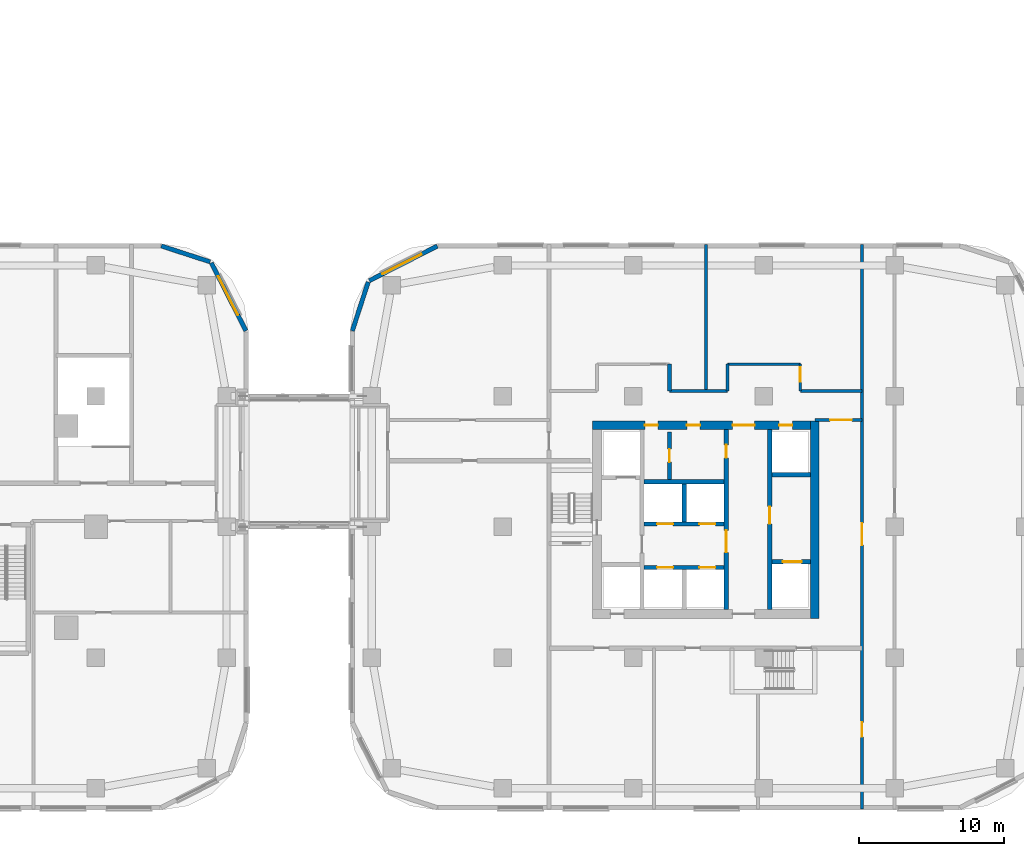
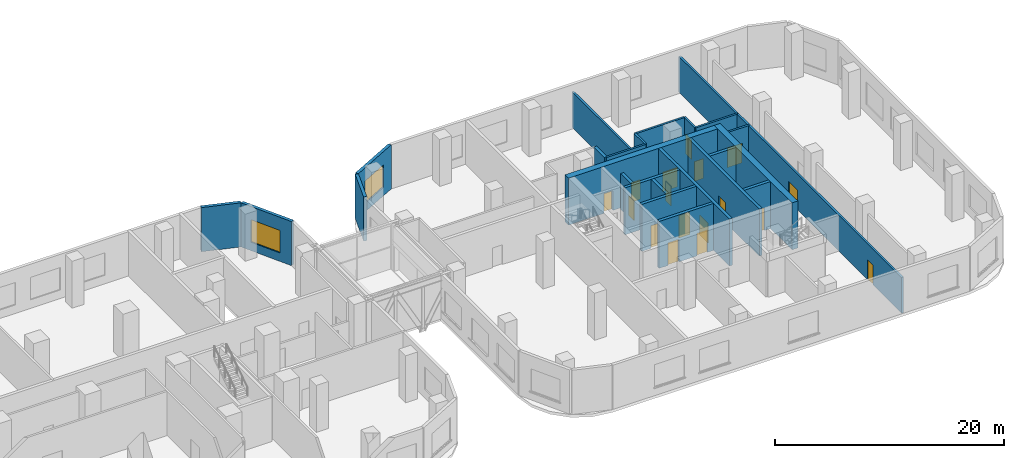
# One storey, part 13 of 33: 24 walls, 17 doors, 2 windows, 19 openings.
"""IFC4 building model written with IfcOpenShell, lengths in metres."""

from ifc_helpers import new_model, si_unit, direction, frame, frame_2d, origin, place, context, subcontext, project, spatial, rectangle, extrude, material, layer, layer_set, type_object, element, fill, save


model = new_model("IFC4")

# Units and contexts
model_context = context("Model", 3, precision=1e-05, world=origin(), true_north=direction((0.0, 1.0)))
body_context = subcontext(model_context, "Body", "Model", "MODEL_VIEW")
ifc_project = project(units=[si_unit("LENGTHUNIT", "METRE"), si_unit("AREAUNIT", "SQUARE_METRE"), si_unit("VOLUMEUNIT", "CUBIC_METRE"), si_unit("PLANEANGLEUNIT", "RADIAN"), si_unit("MASSUNIT", "GRAM", prefix="KILO")], contexts=[model_context])

# Site, building, storey
site_placement = place(None, origin())
site = spatial("IfcSite", under=ifc_project, at=site_placement, CompositionType="ELEMENT")
building_placement = place(site_placement, origin())
building = spatial("IfcBuilding", under=site, at=building_placement, Name="Ogive Portal Towers", CompositionType="ELEMENT")
storey_placement = place(building_placement, frame((0.0, 0.0, 28.5)))
storey = spatial("IfcBuildingStorey", under=building, at=storey_placement, Name="L05", CompositionType="ELEMENT", Elevation=28.5)

# Wall, openings, doors
ifc_material_1 = material(Name="Concrete C60/75", Category="concrete")
ifc_layer_1 = layer(ifc_material_1, 0.300048828125)
ifc_layer_set_1 = layer_set([ifc_layer_1], Name="CORE WALL 300 C60")
wall_type_1 = type_object("IfcWallType", Name="CORE WALL 300 C60", PredefinedType="SHEAR", material=ifc_layer_set_1)
wall_1_placement = place(storey_placement, frame((137.89990234375, 24.800048828125, 0.0), z_axis=(0.0, 0.0, 1.0), x_axis=(0.0, 1.0, 0.0)))
wall_1 = element("IfcWall", 1, at=wall_1_placement, inside=storey, type_object=wall_type_1, Name="Tower B core wall BX2 L05", PredefinedType="SHEAR", context=body_context, shape_type="SweptSolid", body=[
    extrude(rectangle(XDim=12.39990234375, YDim=0.300048828125, at=frame_2d((6.199951171875, 0.0))), origin(), (0.0, 0.0, 1.0), 5.0),
])
opening_1_placement = place(wall_1_placement, frame((3.949951171875, 0.0, 0.0)))
opening_1 = element("IfcOpeningElement", 2, at=opening_1_placement, cuts=wall_1, Name="Opening P05-049", PredefinedType="OPENING", context=body_context, shape_type="SweptSolid", body=[
    extrude(rectangle(XDim=1.5, YDim=2.10009765625, at=frame_2d((0.75, 1.050048828125))), frame((0.0, 0.16015625, 0.0), z_axis=(0.0, -1.0, 0.0), x_axis=(1.0, 0.0, 0.0)), (0.0, 0.0, 1.0), 0.320068359375),
])
opening_2_placement = place(wall_1_placement, frame((10.449951171875, 0.0, 0.0)))
opening_2 = element("IfcOpeningElement", 3, at=opening_2_placement, cuts=wall_1, Name="Opening P05-065", PredefinedType="OPENING", context=body_context, shape_type="SweptSolid", body=[
    extrude(rectangle(XDim=0.89990234375, YDim=2.10009765625, at=frame_2d((0.449951171875, 1.050048828125))), frame((0.0, 0.16015625, 0.0), z_axis=(0.0, -1.0, 0.0), x_axis=(1.0, 0.0, 0.0)), (0.0, 0.0, 1.0), 0.320068359375),
])
ifc_material_2 = material(Name="Steel fire door", Category="steel")
door_type_1 = type_object("IfcDoorType", Name="DT-SWING-1500x2100-FD90S", OperationType="SINGLE_SWING_LEFT", PredefinedType="DOOR", material=ifc_material_2)
door_1_placement = place(opening_1_placement, origin())
door_1 = element("IfcDoor", 4, at=door_1_placement, inside=storey, type_object=door_type_1, Name="Door P05-049", OperationType="SINGLE_SWING_RIGHT", OverallHeight=2.10009765625, OverallWidth=1.5, PredefinedType="DOOR", context=body_context, shape_type="SweptSolid", body=[
    extrude(rectangle(XDim=1.5, YDim=2.10009765625, at=frame_2d((0.75, 1.050048828125))), frame((0.0, 0.02490234375, 0.0), z_axis=(0.0, -1.0, 0.0), x_axis=(1.0, 0.0, 0.0)), (0.0, 0.0, 1.0), 0.050048828125),
])
fill(opening_1, door_1)
door_type_2 = type_object("IfcDoorType", Name="DT-SWING-900x2100-FD90S", OperationType="SINGLE_SWING_LEFT", PredefinedType="DOOR", material=ifc_material_2)
door_2_placement = place(opening_2_placement, origin())
door_2 = element("IfcDoor", 5, at=door_2_placement, inside=storey, type_object=door_type_2, Name="Door P05-065", OperationType="SINGLE_SWING_RIGHT", OverallHeight=2.10009765625, OverallWidth=0.89990234375, PredefinedType="DOOR", context=body_context, shape_type="SweptSolid", body=[
    extrude(rectangle(XDim=0.89990234375, YDim=2.10009765625, at=frame_2d((0.449951171875, 1.050048828125))), frame((0.0, 0.02490234375, 0.0), z_axis=(0.0, -1.0, 0.0), x_axis=(1.0, 0.0, 0.0)), (0.0, 0.0, 1.0), 0.050048828125),
])
fill(opening_2, door_2)

# Wall, opening, door
wall_2_placement = place(storey_placement, frame((140.89990234375, 24.800048828125, 0.0), z_axis=(0.0, 0.0, 1.0), x_axis=(0.0, 1.0, 0.0)))
wall_2 = element("IfcWall", 6, at=wall_2_placement, inside=storey, type_object=wall_type_1, Name="Tower B core wall BX3 L05", PredefinedType="SHEAR", context=body_context, shape_type="SweptSolid", body=[
    extrude(rectangle(XDim=12.39990234375, YDim=0.300048828125, at=frame_2d((6.199951171875, 0.0))), origin(), (0.0, 0.0, 1.0), 5.0),
])
opening_3_placement = place(wall_2_placement, frame((5.89990234375, 0.0, 0.0)))
opening_3 = element("IfcOpeningElement", 7, at=opening_3_placement, cuts=wall_2, Name="Opening P05-051", PredefinedType="OPENING", context=body_context, shape_type="SweptSolid", body=[
    extrude(rectangle(XDim=1.199951171875, YDim=2.10009765625, at=frame_2d((0.60009765625, 1.050048828125))), frame((0.0, 0.16015625, 0.0), z_axis=(0.0, -1.0, 0.0), x_axis=(1.0, 0.0, 0.0)), (0.0, 0.0, 1.0), 0.320068359375),
])
door_type_3 = type_object("IfcDoorType", Name="DT-SWING-1200x2100-FD90S", OperationType="SINGLE_SWING_LEFT", PredefinedType="DOOR", material=ifc_material_2)
door_3_placement = place(opening_3_placement, origin())
door_3 = element("IfcDoor", 8, at=door_3_placement, inside=storey, type_object=door_type_3, Name="Door P05-051", OperationType="SINGLE_SWING_RIGHT", OverallHeight=2.10009765625, OverallWidth=1.199951171875, PredefinedType="DOOR", context=body_context, shape_type="SweptSolid", body=[
    extrude(rectangle(XDim=1.199951171875, YDim=2.10009765625, at=frame_2d((0.60009765625, 1.050048828125))), frame((0.0, 0.02490234375, 0.0), z_axis=(0.0, -1.0, 0.0), x_axis=(1.0, 0.0, 0.0)), (0.0, 0.0, 1.0), 0.050048828125),
])
fill(opening_3, door_3)

# Wall
wall_3_placement = place(storey_placement, frame((135.0, 30.85009765625, 0.0), z_axis=(0.0, 0.0, 1.0), x_axis=(0.0, 1.0, 0.0)))
element("IfcWall", 9, at=wall_3_placement, inside=storey, type_object=wall_type_1, Name="Tower B core wall BX5 L05", PredefinedType="SHEAR", context=body_context, shape_type="SweptSolid", body=[
    extrude(rectangle(XDim=2.599853515625, YDim=0.300048828125, at=frame_2d((1.2998046875, 0.0))), origin(), (0.0, 0.0, 1.0), 5.0),
])

# Wall, openings, doors
wall_4_placement = place(storey_placement, frame((132.25, 27.699951171875, 0.0), z_axis=(0.0, 0.0, 1.0), x_axis=(1.0, 0.0, 0.0)))
wall_4 = element("IfcWall", 10, at=wall_4_placement, inside=storey, type_object=wall_type_1, Name="Tower B core wall BY1 L05", PredefinedType="SHEAR", context=body_context, shape_type="SweptSolid", body=[
    extrude(rectangle(XDim=5.5, YDim=0.300048828125, at=frame_2d((2.75, 0.0))), origin(), (0.0, 0.0, 1.0), 5.0),
])
opening_4_placement = place(wall_4_placement, frame((0.89990234375, 0.0, 0.0)))
opening_4 = element("IfcOpeningElement", 11, at=opening_4_placement, cuts=wall_4, Name="Opening P05-057", PredefinedType="OPENING", context=body_context, shape_type="SweptSolid", body=[
    extrude(rectangle(XDim=1.10009765625, YDim=2.39990234375, at=frame_2d((0.550048828125, 1.199951171875))), frame((0.0, 0.16015625, 0.0), z_axis=(0.0, -1.0, 0.0), x_axis=(1.0, 0.0, 0.0)), (0.0, 0.0, 1.0), 0.320068359375),
])
opening_5_placement = place(wall_4_placement, frame((3.800048828125, 0.0, 0.0)))
opening_5 = element("IfcOpeningElement", 12, at=opening_5_placement, cuts=wall_4, Name="Opening P05-058", PredefinedType="OPENING", context=body_context, shape_type="SweptSolid", body=[
    extrude(rectangle(XDim=1.10009765625, YDim=2.39990234375, at=frame_2d((0.550048828125, 1.199951171875))), frame((0.0, 0.16015625, 0.0), z_axis=(0.0, -1.0, 0.0), x_axis=(1.0, 0.0, 0.0)), (0.0, 0.0, 1.0), 0.320068359375),
])
ifc_material_3 = material(Name="Stainless steel", Category="steel")
door_type_4 = type_object("IfcDoorType", Name="DT-LD-1100x2400", OperationType="SLIDING_TO_LEFT", PredefinedType="DOOR", material=ifc_material_3)
door_4_placement = place(opening_4_placement, origin())
door_4 = element("IfcDoor", 13, at=door_4_placement, inside=storey, type_object=door_type_4, Name="Door P05-057", OperationType="SLIDING_TO_LEFT", OverallHeight=2.39990234375, OverallWidth=1.10009765625, PredefinedType="DOOR", context=body_context, shape_type="SweptSolid", body=[
    extrude(rectangle(XDim=1.10009765625, YDim=2.39990234375, at=frame_2d((0.550048828125, 1.199951171875))), frame((0.0, 0.02490234375, 0.0), z_axis=(0.0, -1.0, 0.0), x_axis=(1.0, 0.0, 0.0)), (0.0, 0.0, 1.0), 0.050048828125),
])
fill(opening_4, door_4)
door_5_placement = place(opening_5_placement, origin())
door_5 = element("IfcDoor", 14, at=door_5_placement, inside=storey, type_object=door_type_4, Name="Door P05-058", OperationType="SLIDING_TO_LEFT", OverallHeight=2.39990234375, OverallWidth=1.10009765625, PredefinedType="DOOR", context=body_context, shape_type="SweptSolid", body=[
    extrude(rectangle(XDim=1.10009765625, YDim=2.39990234375, at=frame_2d((0.550048828125, 1.199951171875))), frame((0.0, 0.02490234375, 0.0), z_axis=(0.0, -1.0, 0.0), x_axis=(1.0, 0.0, 0.0)), (0.0, 0.0, 1.0), 0.050048828125),
])
fill(opening_5, door_5)

wall_5_placement = place(storey_placement, frame((132.25, 30.699951171875, 0.0), z_axis=(0.0, 0.0, 1.0), x_axis=(1.0, 0.0, 0.0)))
wall_5 = element("IfcWall", 15, at=wall_5_placement, inside=storey, type_object=wall_type_1, Name="Tower B core wall BY2 L05", PredefinedType="SHEAR", context=body_context, shape_type="SweptSolid", body=[
    extrude(rectangle(XDim=5.5, YDim=0.300048828125, at=frame_2d((2.75, 0.0))), origin(), (0.0, 0.0, 1.0), 5.0),
])
opening_6_placement = place(wall_5_placement, frame((0.89990234375, 0.0, 0.0)))
opening_6 = element("IfcOpeningElement", 16, at=opening_6_placement, cuts=wall_5, Name="Opening P05-059", PredefinedType="OPENING", context=body_context, shape_type="SweptSolid", body=[
    extrude(rectangle(XDim=1.10009765625, YDim=2.39990234375, at=frame_2d((0.550048828125, 1.199951171875))), frame((0.0, 0.16015625, 0.0), z_axis=(0.0, -1.0, 0.0), x_axis=(1.0, 0.0, 0.0)), (0.0, 0.0, 1.0), 0.320068359375),
])
opening_7_placement = place(wall_5_placement, frame((3.800048828125, 0.0, 0.0)))
opening_7 = element("IfcOpeningElement", 17, at=opening_7_placement, cuts=wall_5, Name="Opening P05-060", PredefinedType="OPENING", context=body_context, shape_type="SweptSolid", body=[
    extrude(rectangle(XDim=1.10009765625, YDim=2.39990234375, at=frame_2d((0.550048828125, 1.199951171875))), frame((0.0, 0.16015625, 0.0), z_axis=(0.0, -1.0, 0.0), x_axis=(1.0, 0.0, 0.0)), (0.0, 0.0, 1.0), 0.320068359375),
])
door_6_placement = place(opening_6_placement, origin())
door_6 = element("IfcDoor", 18, at=door_6_placement, inside=storey, type_object=door_type_4, Name="Door P05-059", OperationType="SLIDING_TO_LEFT", OverallHeight=2.39990234375, OverallWidth=1.10009765625, PredefinedType="DOOR", context=body_context, shape_type="SweptSolid", body=[
    extrude(rectangle(XDim=1.10009765625, YDim=2.39990234375, at=frame_2d((0.550048828125, 1.199951171875))), frame((0.0, 0.02490234375, 0.0), z_axis=(0.0, -1.0, 0.0), x_axis=(1.0, 0.0, 0.0)), (0.0, 0.0, 1.0), 0.050048828125),
])
fill(opening_6, door_6)
door_7_placement = place(opening_7_placement, origin())
door_7 = element("IfcDoor", 19, at=door_7_placement, inside=storey, type_object=door_type_4, Name="Door P05-060", OperationType="SLIDING_TO_LEFT", OverallHeight=2.39990234375, OverallWidth=1.10009765625, PredefinedType="DOOR", context=body_context, shape_type="SweptSolid", body=[
    extrude(rectangle(XDim=1.10009765625, YDim=2.39990234375, at=frame_2d((0.550048828125, 1.199951171875))), frame((0.0, 0.02490234375, 0.0), z_axis=(0.0, -1.0, 0.0), x_axis=(1.0, 0.0, 0.0)), (0.0, 0.0, 1.0), 0.050048828125),
])
fill(opening_7, door_7)

# Wall
wall_6_placement = place(storey_placement, frame((132.25, 33.60009765625, 0.0), z_axis=(0.0, 0.0, 1.0), x_axis=(1.0, 0.0, 0.0)))
element("IfcWall", 20, at=wall_6_placement, inside=storey, type_object=wall_type_1, Name="Tower B core wall BY3 L05", PredefinedType="SHEAR", context=body_context, shape_type="SweptSolid", body=[
    extrude(rectangle(XDim=5.5, YDim=0.300048828125, at=frame_2d((2.75, 0.0))), origin(), (0.0, 0.0, 1.0), 5.0),
])

# Wall, opening, door
wall_7_placement = place(storey_placement, frame((141.050048828125, 28.10009765625, 0.0), z_axis=(0.0, 0.0, 1.0), x_axis=(1.0, 0.0, 0.0)))
wall_7 = element("IfcWall", 21, at=wall_7_placement, inside=storey, type_object=wall_type_1, Name="Tower B core wall BY6 L05", PredefinedType="SHEAR", context=body_context, shape_type="SweptSolid", body=[
    extrude(rectangle(XDim=2.64990234375, YDim=0.300048828125, at=frame_2d((1.324951171875, 0.0))), origin(), (0.0, 0.0, 1.0), 5.0),
])
opening_8_placement = place(wall_7_placement, frame((0.75, 0.0, 0.0)))
opening_8 = element("IfcOpeningElement", 22, at=opening_8_placement, cuts=wall_7, Name="Opening P05-062", PredefinedType="OPENING", context=body_context, shape_type="SweptSolid", body=[
    extrude(rectangle(XDim=1.300048828125, YDim=2.39990234375, at=frame_2d((0.64990234375, 1.199951171875))), frame((0.0, 0.16015625, 0.0), z_axis=(0.0, -1.0, 0.0), x_axis=(1.0, 0.0, 0.0)), (0.0, 0.0, 1.0), 0.320068359375),
])
door_type_5 = type_object("IfcDoorType", Name="DT-LD-1300x2400", OperationType="SLIDING_TO_LEFT", PredefinedType="DOOR", material=ifc_material_3)
door_8_placement = place(opening_8_placement, origin())
door_8 = element("IfcDoor", 23, at=door_8_placement, inside=storey, type_object=door_type_5, Name="Door P05-062", OperationType="SLIDING_TO_LEFT", OverallHeight=2.39990234375, OverallWidth=1.300048828125, PredefinedType="DOOR", context=body_context, shape_type="SweptSolid", body=[
    extrude(rectangle(XDim=1.300048828125, YDim=2.39990234375, at=frame_2d((0.64990234375, 1.199951171875))), frame((0.0, 0.02490234375, 0.0), z_axis=(0.0, -1.0, 0.0), x_axis=(1.0, 0.0, 0.0)), (0.0, 0.0, 1.0), 0.050048828125),
])
fill(opening_8, door_8)

# Walls
wall_8_placement = place(storey_placement, frame((141.050048828125, 34.10009765625, 0.0), z_axis=(0.0, 0.0, 1.0), x_axis=(1.0, 0.0, 0.0)))
element("IfcWall", 24, at=wall_8_placement, inside=storey, type_object=wall_type_1, Name="Tower B core wall BY7 L05", PredefinedType="SHEAR", context=body_context, shape_type="SweptSolid", body=[
    extrude(rectangle(XDim=2.64990234375, YDim=0.300048828125, at=frame_2d((1.324951171875, 0.0))), origin(), (0.0, 0.0, 1.0), 5.0),
])
ifc_layer_2 = layer(ifc_material_1, 0.60009765625)
ifc_layer_set_2 = layer_set([ifc_layer_2], Name="CORE WALL 600 C60")
wall_type_2 = type_object("IfcWallType", Name="CORE WALL 600 C60", PredefinedType="SHEAR", material=ifc_layer_set_2)
wall_9_placement = place(storey_placement, frame((144.0, 24.199951171875, 0.0), z_axis=(0.0, 0.0, 1.0), x_axis=(0.0, 1.0, 0.0)))
element("IfcWall", 25, at=wall_9_placement, inside=storey, type_object=wall_type_2, Name="Tower B core wall BE L05", PredefinedType="SHEAR", context=body_context, shape_type="SweptSolid", body=[
    extrude(rectangle(XDim=13.60009765625, YDim=0.60009765625, at=frame_2d((6.800048828125, 0.0))), origin(), (0.0, 0.0, 1.0), 5.0),
])

# Wall, openings, doors
wall_10_placement = place(storey_placement, frame((128.699951171875, 37.5, 0.0), z_axis=(0.0, 0.0, 1.0), x_axis=(1.0, 0.0, 0.0)))
wall_10 = element("IfcWall", 26, at=wall_10_placement, inside=storey, type_object=wall_type_2, Name="Tower B core wall BN L05", PredefinedType="SHEAR", context=body_context, shape_type="SweptSolid", body=[
    extrude(rectangle(XDim=15.0, YDim=0.60009765625, at=frame_2d((7.5, 0.0))), origin(), (0.0, 0.0, 1.0), 5.0),
])
opening_9_placement = place(wall_10_placement, frame((9.64990234375, 0.0, 0.0)))
opening_9 = element("IfcOpeningElement", 27, at=opening_9_placement, cuts=wall_10, Name="Opening P05-054", PredefinedType="OPENING", context=body_context, shape_type="SweptSolid", body=[
    extrude(rectangle(XDim=1.5, YDim=2.10009765625, at=frame_2d((0.75, 1.050048828125))), frame((0.0, 0.31005859375, 0.0), z_axis=(0.0, -1.0, 0.0), x_axis=(1.0, 0.0, 0.0)), (0.0, 0.0, 1.0), 0.6201171875),
])
opening_10_placement = place(wall_10_placement, frame((12.85009765625, 0.0, 0.0)))
opening_10 = element("IfcOpeningElement", 28, at=opening_10_placement, cuts=wall_10, Name="Opening P05-056", PredefinedType="OPENING", context=body_context, shape_type="SweptSolid", body=[
    extrude(rectangle(XDim=0.89990234375, YDim=2.10009765625, at=frame_2d((0.449951171875, 1.050048828125))), frame((0.0, 0.31005859375, 0.0), z_axis=(0.0, -1.0, 0.0), x_axis=(1.0, 0.0, 0.0)), (0.0, 0.0, 1.0), 0.6201171875),
])
opening_11_placement = place(wall_10_placement, frame((3.60009765625, 0.0, 0.0)))
opening_11 = element("IfcOpeningElement", 29, at=opening_11_placement, cuts=wall_10, Name="Opening P05-063", PredefinedType="OPENING", context=body_context, shape_type="SweptSolid", body=[
    extrude(rectangle(XDim=0.89990234375, YDim=2.10009765625, at=frame_2d((0.449951171875, 1.050048828125))), frame((0.0, 0.31005859375, 0.0), z_axis=(0.0, -1.0, 0.0), x_axis=(1.0, 0.0, 0.0)), (0.0, 0.0, 1.0), 0.6201171875),
])
opening_12_placement = place(wall_10_placement, frame((6.5, 0.0, 0.0)))
opening_12 = element("IfcOpeningElement", 30, at=opening_12_placement, cuts=wall_10, Name="Opening P05-064", PredefinedType="OPENING", context=body_context, shape_type="SweptSolid", body=[
    extrude(rectangle(XDim=0.89990234375, YDim=2.10009765625, at=frame_2d((0.449951171875, 1.050048828125))), frame((0.0, 0.31005859375, 0.0), z_axis=(0.0, -1.0, 0.0), x_axis=(1.0, 0.0, 0.0)), (0.0, 0.0, 1.0), 0.6201171875),
])
door_9_placement = place(opening_9_placement, origin())
door_9 = element("IfcDoor", 31, at=door_9_placement, inside=storey, type_object=door_type_1, Name="Door P05-054", OperationType="SINGLE_SWING_RIGHT", OverallHeight=2.10009765625, OverallWidth=1.5, PredefinedType="DOOR", context=body_context, shape_type="SweptSolid", body=[
    extrude(rectangle(XDim=1.5, YDim=2.10009765625, at=frame_2d((0.75, 1.050048828125))), frame((0.0, 0.02490234375, 0.0), z_axis=(0.0, -1.0, 0.0), x_axis=(1.0, 0.0, 0.0)), (0.0, 0.0, 1.0), 0.050048828125),
])
fill(opening_9, door_9)
door_10_placement = place(opening_10_placement, origin())
door_10 = element("IfcDoor", 32, at=door_10_placement, inside=storey, type_object=door_type_2, Name="Riser access door P05-056", OperationType="SINGLE_SWING_RIGHT", OverallHeight=2.10009765625, OverallWidth=0.89990234375, PredefinedType="DOOR", context=body_context, shape_type="SweptSolid", body=[
    extrude(rectangle(XDim=0.89990234375, YDim=2.10009765625, at=frame_2d((0.449951171875, 1.050048828125))), frame((0.0, 0.02490234375, 0.0), z_axis=(0.0, -1.0, 0.0), x_axis=(1.0, 0.0, 0.0)), (0.0, 0.0, 1.0), 0.050048828125),
])
fill(opening_10, door_10)
door_11_placement = place(opening_11_placement, origin())
door_11 = element("IfcDoor", 33, at=door_11_placement, inside=storey, type_object=door_type_2, Name="Door P05-063", OperationType="SINGLE_SWING_LEFT", OverallHeight=2.10009765625, OverallWidth=0.89990234375, PredefinedType="DOOR", context=body_context, shape_type="SweptSolid", body=[
    extrude(rectangle(XDim=0.89990234375, YDim=2.10009765625, at=frame_2d((0.449951171875, 1.050048828125))), frame((0.0, 0.02490234375, 0.0), z_axis=(0.0, -1.0, 0.0), x_axis=(1.0, 0.0, 0.0)), (0.0, 0.0, 1.0), 0.050048828125),
])
fill(opening_11, door_11)
door_12_placement = place(opening_12_placement, origin())
door_12 = element("IfcDoor", 34, at=door_12_placement, inside=storey, type_object=door_type_2, Name="Door P05-064", OperationType="SINGLE_SWING_RIGHT", OverallHeight=2.10009765625, OverallWidth=0.89990234375, PredefinedType="DOOR", context=body_context, shape_type="SweptSolid", body=[
    extrude(rectangle(XDim=0.89990234375, YDim=2.10009765625, at=frame_2d((0.449951171875, 1.050048828125))), frame((0.0, 0.02490234375, 0.0), z_axis=(0.0, -1.0, 0.0), x_axis=(1.0, 0.0, 0.0)), (0.0, 0.0, 1.0), 0.050048828125),
])
fill(opening_12, door_12)

# Wall, opening, window
ifc_material_4 = material(Name="Limestone cladding on lightweight block wall", Category="masonry")
ifc_layer_3 = layer(ifc_material_4, 0.300048828125)
ifc_layer_set_3 = layer_set([ifc_layer_3], Name="EXTERNAL WALL 300 STONE")
wall_type_3 = type_object("IfcWallType", Name="EXTERNAL WALL 300 STONE", PredefinedType="SOLIDWALL", material=ifc_layer_set_3)
wall_11_placement = place(storey_placement, frame((104.833740234375, 43.99609375, 0.0), z_axis=(0.0, 0.0, 1.0), x_axis=(-0.454006562826, 0.890998339455, 0.0)))
wall_11 = element("IfcWall", 35, at=wall_11_placement, inside=storey, type_object=wall_type_3, Name="A:L05:f06:w0", PredefinedType="SOLIDWALL", context=body_context, shape_type="SweptSolid", body=[
    extrude(rectangle(XDim=5.251708984375, YDim=0.300048828125, at=frame_2d((2.6259765625, 0.0))), origin(), (0.0, 0.0, 1.0), 4.699951171875),
])
opening_13_placement = place(wall_11_placement, frame((1.223876953125, 0.0, 0.89990234375)))
opening_13 = element("IfcOpeningElement", 36, at=opening_13_placement, cuts=wall_11, Name="Opening WN3", PredefinedType="OPENING", context=body_context, shape_type="SweptSolid", body=[
    extrude(rectangle(XDim=3.0, YDim=2.39990234375, at=frame_2d((1.5, 1.199951171875))), frame((0.0, 0.16015625, 0.0), z_axis=(0.0, -1.0, 0.0), x_axis=(1.0, 0.0, 0.0)), (0.0, 0.0, 1.0), 0.320068359375),
])
ifc_material_5 = material(Name="Glass, clear low-iron insulated glazing", Category="glass")
window_type = type_object("IfcWindowType", Name="WINDOW PODIUM 3000x2400", PartitioningType="SINGLE_PANEL", PredefinedType="WINDOW", material=ifc_material_5)
window_1_placement = place(opening_13_placement, origin())
window_1 = element("IfcWindow", 37, at=window_1_placement, inside=storey, type_object=window_type, Name="A:L05:f06:w0:o0", OverallHeight=2.39990234375, OverallWidth=3.0, PartitioningType="SINGLE_PANEL", PredefinedType="WINDOW", context=body_context, shape_type="SweptSolid", body=[
    extrude(rectangle(XDim=3.0, YDim=2.39990234375, at=frame_2d((1.5, 1.199951171875))), frame((0.0, 0.030029296875, 0.0), z_axis=(0.0, -1.0, 0.0), x_axis=(1.0, 0.0, 0.0)), (0.0, 0.0, 1.0), 0.06005859375),
])
fill(opening_13, window_1)

# Wall
wall_12_placement = place(storey_placement, frame((102.362060546875, 48.749755859375, 0.0), z_axis=(0.0, 0.0, 1.0), x_axis=(-0.951038127287, 0.309073584194, 0.0)))
element("IfcWall", 38, at=wall_12_placement, inside=storey, type_object=wall_type_3, Name="A:L05:f07:w0", PredefinedType="SOLIDWALL", context=body_context, shape_type="SweptSolid", body=[
    extrude(rectangle(XDim=3.536376953125, YDim=0.300048828125, at=frame_2d((1.76806640625, 0.0))), origin(), (0.0, 0.0, 1.0), 4.699951171875),
])

# Wall, opening, window
wall_13_placement = place(storey_placement, frame((118.00390625, 49.833740234375, 0.0), z_axis=(0.0, 0.0, 1.0), x_axis=(-0.890998339455, -0.454006562826, 0.0)))
wall_13 = element("IfcWall", 39, at=wall_13_placement, inside=storey, type_object=wall_type_3, Name="B:L05:f09:w0", PredefinedType="SOLIDWALL", context=body_context, shape_type="SweptSolid", body=[
    extrude(rectangle(XDim=5.251708984375, YDim=0.300048828125, at=frame_2d((2.6259765625, 0.0))), origin(), (0.0, 0.0, 1.0), 4.699951171875),
])
opening_14_placement = place(wall_13_placement, frame((1.223876953125, 0.0, 0.89990234375)))
opening_14 = element("IfcOpeningElement", 40, at=opening_14_placement, cuts=wall_13, Name="Opening WN3", PredefinedType="OPENING", context=body_context, shape_type="SweptSolid", body=[
    extrude(rectangle(XDim=3.0, YDim=2.39990234375, at=frame_2d((1.5, 1.199951171875))), frame((0.0, 0.16015625, 0.0), z_axis=(0.0, -1.0, 0.0), x_axis=(1.0, 0.0, 0.0)), (0.0, 0.0, 1.0), 0.320068359375),
])
window_2_placement = place(opening_14_placement, origin())
window_2 = element("IfcWindow", 41, at=window_2_placement, inside=storey, type_object=window_type, Name="B:L05:f09:w0:o0", OverallHeight=2.39990234375, OverallWidth=3.0, PartitioningType="SINGLE_PANEL", PredefinedType="WINDOW", context=body_context, shape_type="SweptSolid", body=[
    extrude(rectangle(XDim=3.0, YDim=2.39990234375, at=frame_2d((1.5, 1.199951171875))), frame((0.0, 0.030029296875, 0.0), z_axis=(0.0, -1.0, 0.0), x_axis=(1.0, 0.0, 0.0)), (0.0, 0.0, 1.0), 0.06005859375),
])
fill(opening_14, window_2)

# Wall
wall_14_placement = place(storey_placement, frame((113.250244140625, 47.362060546875, 0.0), z_axis=(0.0, 0.0, 1.0), x_axis=(-0.309073584194, -0.951038127287, 0.0)))
element("IfcWall", 42, at=wall_14_placement, inside=storey, type_object=wall_type_3, Name="B:L05:f10:w0", PredefinedType="SOLIDWALL", context=body_context, shape_type="SweptSolid", body=[
    extrude(rectangle(XDim=3.536376953125, YDim=0.300048828125, at=frame_2d((1.76806640625, 0.0))), origin(), (0.0, 0.0, 1.0), 4.699951171875),
])

# Wall, opening, door
ifc_material_6 = material(Name="Gypsum board partition on steel studs", Category="steel")
ifc_layer_4 = layer(ifc_material_6, 0.199951171875)
ifc_layer_set_4 = layer_set([ifc_layer_4], Name="WT-PART-200-EI 60")
wall_type_4 = type_object("IfcWallType", Name="WT-PART-200-EI 60", PredefinedType="PARTITIONING", material=ifc_layer_set_4)
wall_15_placement = place(storey_placement, frame((144.02001953125, 37.85009765625, 0.0), z_axis=(0.0, 0.0, 1.0), x_axis=(1.0, 0.0, 0.0)))
wall_15 = element("IfcWall", 43, at=wall_15_placement, inside=storey, type_object=wall_type_4, Name="Wall L05:w024", PredefinedType="PARTITIONING", context=body_context, shape_type="SweptSolid", body=[
    extrude(rectangle(XDim=3.22998046875, YDim=0.199951171875, at=frame_2d((1.614990234375, 0.0))), origin(), (0.0, 0.0, 1.0), 3.800048828125),
])
opening_15_placement = place(wall_15_placement, frame((1.030029296875, 0.0, 0.0)))
opening_15 = element("IfcOpeningElement", 44, at=opening_15_placement, cuts=wall_15, Name="Opening P05-032", PredefinedType="OPENING", context=body_context, shape_type="SweptSolid", body=[
    extrude(rectangle(XDim=1.5, YDim=2.10009765625, at=frame_2d((0.75, 1.050048828125))), frame((0.0, 0.10986328125, 0.0), z_axis=(0.0, -1.0, 0.0), x_axis=(1.0, 0.0, 0.0)), (0.0, 0.0, 1.0), 0.219970703125),
])
door_type_6 = type_object("IfcDoorType", Name="DT-SWING-1500x2100-FD60S", OperationType="SINGLE_SWING_LEFT", PredefinedType="DOOR", material=ifc_material_2)
door_13_placement = place(opening_15_placement, origin())
door_13 = element("IfcDoor", 45, at=door_13_placement, inside=storey, type_object=door_type_6, Name="Door P05-032", OperationType="SINGLE_SWING_RIGHT", OverallHeight=2.10009765625, OverallWidth=1.5, PredefinedType="DOOR", context=body_context, shape_type="SweptSolid", body=[
    extrude(rectangle(XDim=1.5, YDim=2.10009765625, at=frame_2d((0.75, 1.050048828125))), frame((0.0, 0.02490234375, 0.0), z_axis=(0.0, -1.0, 0.0), x_axis=(1.0, 0.0, 0.0)), (0.0, 0.0, 1.0), 0.050048828125),
])
fill(opening_15, door_13)

# Walls
wall_16_placement = place(storey_placement, frame((134.0, 39.85009765625, 0.0), z_axis=(0.0, 0.0, 1.0), x_axis=(1.0, 0.0, 0.0)))
element("IfcWall", 46, at=wall_16_placement, inside=storey, type_object=wall_type_4, Name="Wall L05:w032", PredefinedType="PARTITIONING", context=body_context, shape_type="SweptSolid", body=[
    extrude(rectangle(XDim=4.0, YDim=0.199951171875, at=frame_2d((2.0, 0.0))), origin(), (0.0, 0.0, 1.0), 3.800048828125),
])
wall_17_placement = place(storey_placement, frame((143.0, 39.85009765625, 0.0), z_axis=(0.0, 0.0, 1.0), x_axis=(1.0, 0.0, 0.0)))
element("IfcWall", 47, at=wall_17_placement, inside=storey, type_object=wall_type_4, Name="Wall L05:w033", PredefinedType="PARTITIONING", context=body_context, shape_type="SweptSolid", body=[
    extrude(rectangle(XDim=4.25, YDim=0.199951171875, at=frame_2d((2.125, 0.0))), origin(), (0.0, 0.0, 1.0), 3.800048828125),
])
wall_18_placement = place(storey_placement, frame((138.0, 41.699951171875, 0.0), z_axis=(0.0, 0.0, 1.0), x_axis=(1.0, 0.0, 0.0)))
element("IfcWall", 48, at=wall_18_placement, inside=storey, type_object=wall_type_4, Name="Wall L05:w036", PredefinedType="PARTITIONING", context=body_context, shape_type="SweptSolid", body=[
    extrude(rectangle(XDim=5.0, YDim=0.199951171875, at=frame_2d((2.5, 0.0))), origin(), (0.0, 0.0, 1.0), 3.800048828125),
])
wall_19_placement = place(storey_placement, frame((136.5, 39.85009765625, 0.0), z_axis=(0.0, 0.0, 1.0), x_axis=(0.0, 1.0, 0.0)))
element("IfcWall", 49, at=wall_19_placement, inside=storey, type_object=wall_type_4, Name="Wall L05:w067", PredefinedType="PARTITIONING", context=body_context, shape_type="SweptSolid", body=[
    extrude(rectangle(XDim=10.079833984375, YDim=0.199951171875, at=frame_2d((5.0400390625, 0.0))), origin(), (0.0, 0.0, 1.0), 3.800048828125),
])
wall_20_placement = place(storey_placement, frame((138.0, 39.85009765625, 0.0), z_axis=(0.0, 0.0, 1.0), x_axis=(0.0, 1.0, 0.0)))
element("IfcWall", 50, at=wall_20_placement, inside=storey, type_object=wall_type_4, Name="Wall L05:w068", PredefinedType="PARTITIONING", context=body_context, shape_type="SweptSolid", body=[
    extrude(rectangle(XDim=1.849853515625, YDim=0.199951171875, at=frame_2d((0.9248046875, 0.0))), origin(), (0.0, 0.0, 1.0), 3.800048828125),
])

# Wall, opening, door
wall_21_placement = place(storey_placement, frame((143.0, 39.85009765625, 0.0), z_axis=(0.0, 0.0, 1.0), x_axis=(0.0, 1.0, 0.0)))
wall_21 = element("IfcWall", 51, at=wall_21_placement, inside=storey, type_object=wall_type_4, Name="Wall L05:w071", PredefinedType="PARTITIONING", context=body_context, shape_type="SweptSolid", body=[
    extrude(rectangle(XDim=1.849853515625, YDim=0.199951171875, at=frame_2d((0.9248046875, 0.0))), origin(), (0.0, 0.0, 1.0), 3.800048828125),
])
opening_16_placement = place(wall_21_placement, frame((0.64990234375, 0.0, 0.0)))
opening_16 = element("IfcOpeningElement", 52, at=opening_16_placement, cuts=wall_21, Name="Opening P05-046", PredefinedType="OPENING", context=body_context, shape_type="SweptSolid", body=[
    extrude(rectangle(XDim=1.0, YDim=2.10009765625, at=frame_2d((0.5, 1.050048828125))), frame((0.0, 0.10986328125, 0.0), z_axis=(0.0, -1.0, 0.0), x_axis=(1.0, 0.0, 0.0)), (0.0, 0.0, 1.0), 0.219970703125),
])
door_type_7 = type_object("IfcDoorType", Name="DT-SWING-1000x2100-FD60S", OperationType="SINGLE_SWING_LEFT", PredefinedType="DOOR", material=ifc_material_2)
door_14_placement = place(opening_16_placement, origin())
door_14 = element("IfcDoor", 53, at=door_14_placement, inside=storey, type_object=door_type_7, Name="Door P05-046", OperationType="SINGLE_SWING_RIGHT", OverallHeight=2.10009765625, OverallWidth=1.0, PredefinedType="DOOR", context=body_context, shape_type="SweptSolid", body=[
    extrude(rectangle(XDim=1.0, YDim=2.10009765625, at=frame_2d((0.5, 1.050048828125))), frame((0.0, 0.02490234375, 0.0), z_axis=(0.0, -1.0, 0.0), x_axis=(1.0, 0.0, 0.0)), (0.0, 0.0, 1.0), 0.050048828125),
])
fill(opening_16, door_14)

# Wall, openings, doors
wall_22_placement = place(storey_placement, frame((147.25, 11.070068359375, 0.0), z_axis=(0.0, 0.0, 1.0), x_axis=(0.0, 1.0, 0.0)))
wall_22 = element("IfcWall", 54, at=wall_22_placement, inside=storey, type_object=wall_type_4, Name="Wall L05:w075", PredefinedType="PARTITIONING", context=body_context, shape_type="SweptSolid", body=[
    extrude(rectangle(XDim=38.85986328125, YDim=0.199951171875, at=frame_2d((19.429931640625, 0.0))), origin(), (0.0, 0.0, 1.0), 3.800048828125),
])
opening_17_placement = place(wall_22_placement, frame((18.179931640625, 0.0, 0.0)))
opening_17 = element("IfcOpeningElement", 55, at=opening_17_placement, cuts=wall_22, Name="Opening P05-038", PredefinedType="OPENING", context=body_context, shape_type="SweptSolid", body=[
    extrude(rectangle(XDim=1.5, YDim=2.10009765625, at=frame_2d((0.75, 1.050048828125))), frame((0.0, 0.10986328125, 0.0), z_axis=(0.0, -1.0, 0.0), x_axis=(1.0, 0.0, 0.0)), (0.0, 0.0, 1.0), 0.219970703125),
])
opening_18_placement = place(wall_22_placement, frame((4.97509765625, 0.0, 0.0)))
opening_18 = element("IfcOpeningElement", 56, at=opening_18_placement, cuts=wall_22, Name="Opening P05-044", PredefinedType="OPENING", context=body_context, shape_type="SweptSolid", body=[
    extrude(rectangle(XDim=1.0, YDim=2.10009765625, at=frame_2d((0.5, 1.050048828125))), frame((0.0, 0.10986328125, 0.0), z_axis=(0.0, -1.0, 0.0), x_axis=(1.0, 0.0, 0.0)), (0.0, 0.0, 1.0), 0.219970703125),
])
door_15_placement = place(opening_18_placement, origin())
door_15 = element("IfcDoor", 57, at=door_15_placement, inside=storey, type_object=door_type_7, Name="Door P05-044", OperationType="SINGLE_SWING_RIGHT", OverallHeight=2.10009765625, OverallWidth=1.0, PredefinedType="DOOR", context=body_context, shape_type="SweptSolid", body=[
    extrude(rectangle(XDim=1.0, YDim=2.10009765625, at=frame_2d((0.5, 1.050048828125))), frame((0.0, 0.02490234375, 0.0), z_axis=(0.0, -1.0, 0.0), x_axis=(1.0, 0.0, 0.0)), (0.0, 0.0, 1.0), 0.050048828125),
])
fill(opening_18, door_15)
door_16_placement = place(opening_17_placement, origin())
door_16 = element("IfcDoor", 58, at=door_16_placement, inside=storey, type_object=door_type_6, Name="Door P05-038", OperationType="SINGLE_SWING_RIGHT", OverallHeight=2.10009765625, OverallWidth=1.5, PredefinedType="DOOR", context=body_context, shape_type="SweptSolid", body=[
    extrude(rectangle(XDim=1.5, YDim=2.10009765625, at=frame_2d((0.75, 1.050048828125))), frame((0.0, 0.02490234375, 0.0), z_axis=(0.0, -1.0, 0.0), x_axis=(1.0, 0.0, 0.0)), (0.0, 0.0, 1.0), 0.050048828125),
])
fill(opening_17, door_16)

# Wall, opening, door
ifc_layer_5 = layer(ifc_material_6, 0.300048828125)
ifc_layer_set_5 = layer_set([ifc_layer_5], Name="WT-PART-300-EI 60")
wall_type_5 = type_object("IfcWallType", Name="WT-PART-300-EI 60", PredefinedType="PARTITIONING", material=ifc_layer_set_5)
wall_23_placement = place(storey_placement, frame((134.0, 33.77001953125, 0.0), z_axis=(0.0, 0.0, 1.0), x_axis=(0.0, 1.0, 0.0)))
wall_23 = element("IfcWall", 59, at=wall_23_placement, inside=storey, type_object=wall_type_5, Name="Wall L05:w065", PredefinedType="PARTITIONING", context=body_context, shape_type="SweptSolid", body=[
    extrude(rectangle(XDim=3.260009765625, YDim=0.300048828125, at=frame_2d((1.6298828125, 0.0))), origin(), (0.0, 0.0, 1.0), 3.800048828125),
])
opening_19_placement = place(wall_23_placement, frame((1.179931640625, 0.0, 0.0)))
opening_19 = element("IfcOpeningElement", 60, at=opening_19_placement, cuts=wall_23, Name="Opening P05-035", PredefinedType="OPENING", context=body_context, shape_type="SweptSolid", body=[
    extrude(rectangle(XDim=0.89990234375, YDim=2.10009765625, at=frame_2d((0.449951171875, 1.050048828125))), frame((0.0, 0.16015625, 0.0), z_axis=(0.0, -1.0, 0.0), x_axis=(1.0, 0.0, 0.0)), (0.0, 0.0, 1.0), 0.320068359375),
])
door_type_8 = type_object("IfcDoorType", Name="DT-SWING-900x2100-FD60S", OperationType="SINGLE_SWING_LEFT", PredefinedType="DOOR", material=ifc_material_2)
door_17_placement = place(opening_19_placement, origin())
door_17 = element("IfcDoor", 61, at=door_17_placement, inside=storey, type_object=door_type_8, Name="Door P05-035", OperationType="SINGLE_SWING_LEFT", OverallHeight=2.10009765625, OverallWidth=0.89990234375, PredefinedType="DOOR", context=body_context, shape_type="SweptSolid", body=[
    extrude(rectangle(XDim=0.89990234375, YDim=2.10009765625, at=frame_2d((0.449951171875, 1.050048828125))), frame((0.0, 0.02490234375, 0.0), z_axis=(0.0, -1.0, 0.0), x_axis=(1.0, 0.0, 0.0)), (0.0, 0.0, 1.0), 0.050048828125),
])
fill(opening_19, door_17)

# Wall
wall_24_placement = place(storey_placement, frame((134.0, 39.85009765625, 0.0), z_axis=(0.0, 0.0, 1.0), x_axis=(0.0, 1.0, 0.0)))
element("IfcWall", 62, at=wall_24_placement, inside=storey, type_object=wall_type_5, Name="Wall L05:w066", PredefinedType="PARTITIONING", context=body_context, shape_type="SweptSolid", body=[
    extrude(rectangle(XDim=1.849853515625, YDim=0.300048828125, at=frame_2d((0.9248046875, 0.0))), origin(), (0.0, 0.0, 1.0), 3.800048828125),
])

save(model, "model.ifc")
